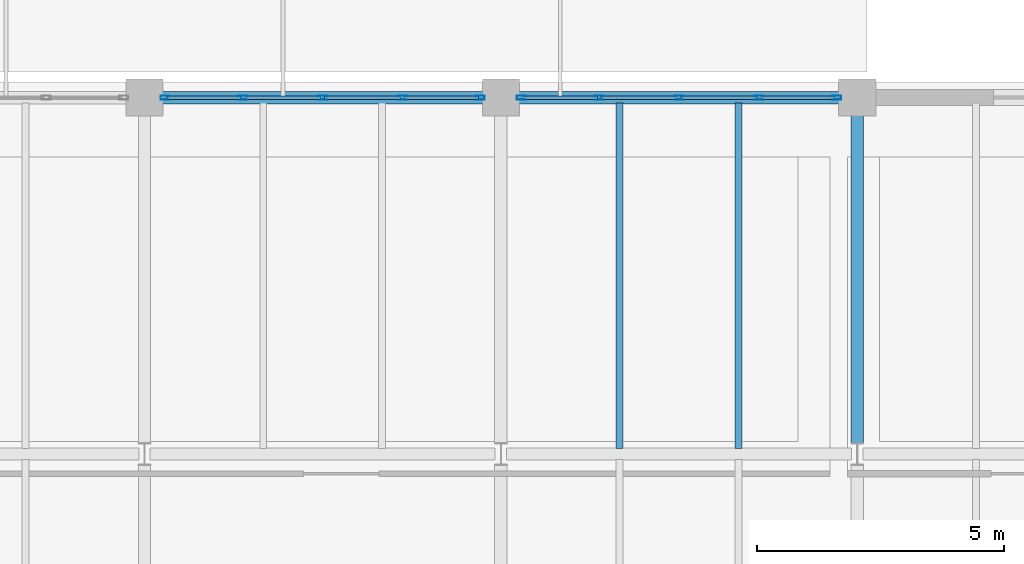
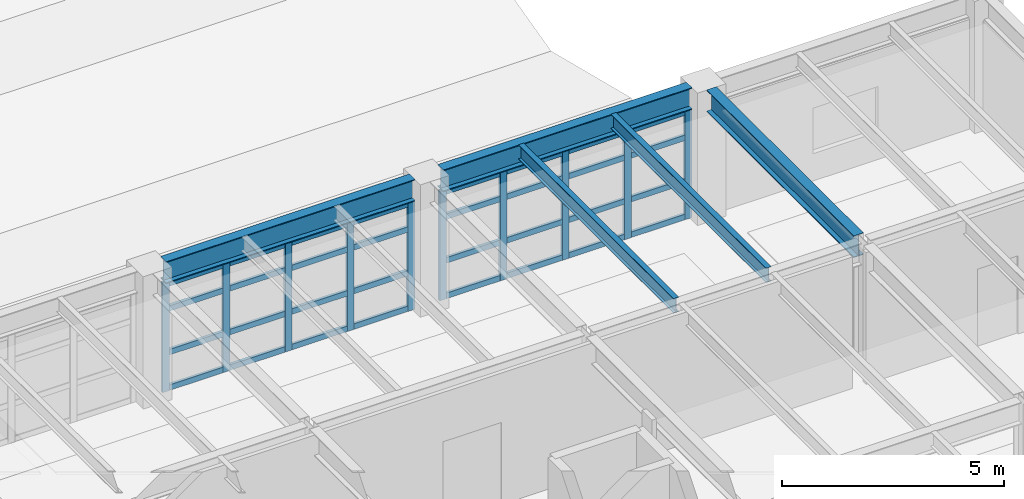
# One storey, part 12 of 48: 42 members, 5 beams, 2 elements without a shape of their own.
"""IFC4 building model written with IfcOpenShell, lengths in metres."""

from ifc_helpers import new_model, si_unit, direction, frame, origin, origin_2d, place, context, subcontext, project, spatial, hollow_rectangle, i_section, extrude, material, layer, layer_set, material_profile, profile_set, type_object, element, aggregate, save


model = new_model("IFC4")

# Units and contexts
model_context = context("Model", 3, precision=1e-05, world=origin(), true_north=direction((0.0, 1.0)))
body_context = subcontext(model_context, "Body", "Model", "MODEL_VIEW")
ifc_project = project(units=[si_unit("LENGTHUNIT", "METRE"), si_unit("AREAUNIT", "SQUARE_METRE"), si_unit("VOLUMEUNIT", "CUBIC_METRE"), si_unit("PLANEANGLEUNIT", "RADIAN"), si_unit("MASSUNIT", "GRAM", prefix="KILO")], contexts=[model_context])

# Site, building, storey
site_placement = place(None, origin())
site = spatial("IfcSite", under=ifc_project, at=site_placement, CompositionType="ELEMENT")
building_placement = place(site_placement, origin())
building = spatial("IfcBuilding", under=site, at=building_placement, Name="Kandorven Conservatory and Botanical Research Centre", CompositionType="ELEMENT")
storey_placement = place(building_placement, frame((0.0, 0.0, 13.199951171875)))
storey = spatial("IfcBuildingStorey", under=building, at=storey_placement, Name="L03", CompositionType="ELEMENT", Elevation=13.199951171875)

# Beams
ifc_material_1 = material(Name="Steel S355 (IS 2062 E350)", Category="steel")
ifc_material_profile_1 = material_profile(ifc_material_1, i_section(OverallWidth=0.25, OverallDepth=0.60009765625, WebThickness=0.01171875, FlangeThickness=0.023681640625, at=origin_2d()))
ifc_profile_set_1 = profile_set([ifc_material_profile_1], Name="Steel S355 (IS 2062 E350)")
beam_type_1 = type_object("IfcBeamType", Name="Beam_FG-01", PredefinedType="USERDEFINED", material=ifc_profile_set_1)
beam_1_placement = place(storey_placement, frame((20.764892578125, 34.800048828125, 3.3349609375), z_axis=(1.0, 0.0, 0.0), x_axis=(0.0, 1.0, 0.0)))
element("IfcBeam", 1, at=beam_1_placement, inside=storey, type_object=beam_type_1, Name="Primary girder FG-01 TWR L03", ObjectType="GIRDER", PredefinedType="USERDEFINED", context=body_context, shape_type="SweptSolid", body=[
    extrude(i_section(OverallWidth=0.25, OverallDepth=0.60009765625, WebThickness=0.01171875, FlangeThickness=0.023681640625, at=origin_2d()), origin(), (0.0, 0.0, 1.0), 6.47021484375),
])
beam_2_placement = place(storey_placement, frame((27.965087890625, 34.800048828125, 3.3349609375), z_axis=(1.0, 0.0, 0.0), x_axis=(0.0, 1.0, 0.0)))
element("IfcBeam", 2, at=beam_2_placement, inside=storey, type_object=beam_type_1, Name="Primary girder FG-01 TWR L03", ObjectType="GIRDER", PredefinedType="USERDEFINED", context=body_context, shape_type="SweptSolid", body=[
    extrude(i_section(OverallWidth=0.25, OverallDepth=0.60009765625, WebThickness=0.01171875, FlangeThickness=0.023681640625, at=origin_2d()), origin(), (0.0, 0.0, 1.0), 6.469970703125),
])
beam_3_placement = place(storey_placement, frame((34.800048828125, 27.81494140625, 3.3349609375), z_axis=(0.0, 1.0, 0.0), x_axis=(-1.0, 0.0, 0.0)))
element("IfcBeam", 3, at=beam_3_placement, inside=storey, type_object=beam_type_1, Name="Primary girder FG-01 TWR L03", ObjectType="GIRDER", PredefinedType="USERDEFINED", context=body_context, shape_type="SweptSolid", body=[
    extrude(i_section(OverallWidth=0.25, OverallDepth=0.60009765625, WebThickness=0.01171875, FlangeThickness=0.023681640625, at=origin_2d()), origin(), (0.0, 0.0, 1.0), 6.6201171875),
])
ifc_material_2 = material(Name="Steel S355 (IS 2062 E350)", Category="steel")
ifc_material_profile_2 = material_profile(ifc_material_2, i_section(OverallWidth=0.139892578125, OverallDepth=0.39990234375, WebThickness=0.0087890625, FlangeThickness=0.01611328125, at=origin_2d()))
ifc_profile_set_2 = profile_set([ifc_material_profile_2], Name="Steel S355 (IS 2062 E350)")
beam_type_2 = type_object("IfcBeamType", Name="Beam_SB-05", PredefinedType="BEAM", material=ifc_profile_set_2)
for number, where, z_axis, x_axis, name in (
    (4, (30.0, 27.7099609375, 3.43505859375), (0.0, 1.0, 0.0), (-1.0, 0.0, 0.0), "Composite secondary beam SB-05 TWR L03"),
    (5, (32.39990234375, 27.7099609375, 3.43505859375), (0.0, 1.0, 0.0), (-1.0, 0.0, 0.0), "Composite secondary beam SB-05 TWR L03"),
):
    element("IfcBeam", number, at=place(storey_placement, frame(where, z_axis=z_axis, x_axis=x_axis)), inside=storey, type_object=beam_type_2, Name=name, PredefinedType="BEAM", context=body_context, shape_type="SweptSolid", body=[
        extrude(i_section(OverallWidth=0.139892578125, OverallDepth=0.39990234375, WebThickness=0.0087890625, FlangeThickness=0.01611328125, at=origin_2d()), origin(), (0.0, 0.0, 1.0), 6.97998046875),
    ])

# Curtain wall, members
ifc_material_3 = material(Name="Bronze anodised thermally broken aluminium", Category="aluminium")
ifc_layer = layer(ifc_material_3, 0.179931640625)
ifc_layer_set = layer_set([ifc_layer], Name="Bronze anodised thermally broken aluminium")
curtain_wall_type = type_object("IfcCurtainWallType", Name="CW_Unitised", PredefinedType="USERDEFINED", material=ifc_layer_set)
curtain_wall_1_placement = place(storey_placement, origin())
curtain_wall_1 = element("IfcCurtainWall", 6, at=curtain_wall_1_placement, inside=storey, type_object=curtain_wall_type, Name="Tower laboratory curtain wall CW-TWR-N-L03-3", ObjectType="UNITISED GLAZING", PredefinedType="USERDEFINED")
ifc_material_4 = material(Name="Bronze anodised thermally broken aluminium", Category="aluminium")
ifc_material_profile_3 = material_profile(ifc_material_4, hollow_rectangle(XDim=0.080078125, YDim=0.179931640625, WallThickness=0.006103515625, at=origin_2d()))
ifc_profile_set_3 = profile_set([ifc_material_profile_3], Name="Bronze anodised thermally broken aluminium")
member_type_1 = type_object("IfcMemberType", Name="CW_Mullion", PredefinedType="MULLION", material=ifc_profile_set_3)
member_1_placement = place(storey_placement, frame((20.81494140625, 34.800048828125, 0.0), z_axis=(0.0, 0.0, 1.0), x_axis=(0.0, 1.0, 0.0)))
member_1 = element("IfcMember", 7, at=member_1_placement, type_object=member_type_1, Name="CW-01 mullion 1", PredefinedType="MULLION", context=body_context, shape_type="SweptSolid", body=[
    extrude(hollow_rectangle(XDim=0.080078125, YDim=0.179931640625, WallThickness=0.006103515625, at=origin_2d()), origin(), (0.0, 0.0, 1.0), 3.01513671875),
])
member_2_placement = place(storey_placement, frame((22.387451171875, 34.800048828125, 0.0), z_axis=(0.0, 0.0, 1.0), x_axis=(0.0, 1.0, 0.0)))
member_2 = element("IfcMember", 8, at=member_2_placement, type_object=member_type_1, Name="CW-01 mullion 2", PredefinedType="MULLION", context=body_context, shape_type="SweptSolid", body=[
    extrude(hollow_rectangle(XDim=0.080078125, YDim=0.179931640625, WallThickness=0.006103515625, at=origin_2d()), origin(), (0.0, 0.0, 1.0), 3.01513671875),
])
member_3_placement = place(storey_placement, frame((24.0, 34.800048828125, 0.0), z_axis=(0.0, 0.0, 1.0), x_axis=(0.0, 1.0, 0.0)))
member_3 = element("IfcMember", 9, at=member_3_placement, type_object=member_type_1, Name="CW-01 mullion 3", PredefinedType="MULLION", context=body_context, shape_type="SweptSolid", body=[
    extrude(hollow_rectangle(XDim=0.080078125, YDim=0.179931640625, WallThickness=0.006103515625, at=origin_2d()), origin(), (0.0, 0.0, 1.0), 3.01513671875),
])
member_4_placement = place(storey_placement, frame((25.612548828125, 34.800048828125, 0.0), z_axis=(0.0, 0.0, 1.0), x_axis=(0.0, 1.0, 0.0)))
member_4 = element("IfcMember", 10, at=member_4_placement, type_object=member_type_1, Name="CW-01 mullion 4", PredefinedType="MULLION", context=body_context, shape_type="SweptSolid", body=[
    extrude(hollow_rectangle(XDim=0.080078125, YDim=0.179931640625, WallThickness=0.006103515625, at=origin_2d()), origin(), (0.0, 0.0, 1.0), 3.01513671875),
])
member_5_placement = place(storey_placement, frame((27.18505859375, 34.800048828125, 0.0), z_axis=(0.0, 0.0, 1.0), x_axis=(0.0, 1.0, 0.0)))
member_5 = element("IfcMember", 11, at=member_5_placement, type_object=member_type_1, Name="CW-01 mullion 5", PredefinedType="MULLION", context=body_context, shape_type="SweptSolid", body=[
    extrude(hollow_rectangle(XDim=0.080078125, YDim=0.179931640625, WallThickness=0.006103515625, at=origin_2d()), origin(), (0.0, 0.0, 1.0), 3.01513671875),
])

curtain_wall_2_placement = place(storey_placement, origin())
curtain_wall_2 = element("IfcCurtainWall", 12, at=curtain_wall_2_placement, inside=storey, type_object=curtain_wall_type, Name="Tower laboratory curtain wall CW-TWR-N-L03-4", ObjectType="UNITISED GLAZING", PredefinedType="USERDEFINED")
member_6_placement = place(storey_placement, frame((28.014892578125, 34.800048828125, 0.0), z_axis=(0.0, 0.0, 1.0), x_axis=(0.0, 1.0, 0.0)))
member_6 = element("IfcMember", 13, at=member_6_placement, type_object=member_type_1, Name="CW-01 mullion 1", PredefinedType="MULLION", context=body_context, shape_type="SweptSolid", body=[
    extrude(hollow_rectangle(XDim=0.080078125, YDim=0.179931640625, WallThickness=0.006103515625, at=origin_2d()), origin(), (0.0, 0.0, 1.0), 3.01513671875),
])
member_7_placement = place(storey_placement, frame((29.58740234375, 34.800048828125, 0.0), z_axis=(0.0, 0.0, 1.0), x_axis=(0.0, 1.0, 0.0)))
member_7 = element("IfcMember", 14, at=member_7_placement, type_object=member_type_1, Name="CW-01 mullion 2", PredefinedType="MULLION", context=body_context, shape_type="SweptSolid", body=[
    extrude(hollow_rectangle(XDim=0.080078125, YDim=0.179931640625, WallThickness=0.006103515625, at=origin_2d()), origin(), (0.0, 0.0, 1.0), 3.01513671875),
])
member_8_placement = place(storey_placement, frame((31.199951171875, 34.800048828125, 0.0), z_axis=(0.0, 0.0, 1.0), x_axis=(0.0, 1.0, 0.0)))
member_8 = element("IfcMember", 15, at=member_8_placement, type_object=member_type_1, Name="CW-01 mullion 3", PredefinedType="MULLION", context=body_context, shape_type="SweptSolid", body=[
    extrude(hollow_rectangle(XDim=0.080078125, YDim=0.179931640625, WallThickness=0.006103515625, at=origin_2d()), origin(), (0.0, 0.0, 1.0), 3.01513671875),
])
member_9_placement = place(storey_placement, frame((32.8125, 34.800048828125, 0.0), z_axis=(0.0, 0.0, 1.0), x_axis=(0.0, 1.0, 0.0)))
member_9 = element("IfcMember", 16, at=member_9_placement, type_object=member_type_1, Name="CW-01 mullion 4", PredefinedType="MULLION", context=body_context, shape_type="SweptSolid", body=[
    extrude(hollow_rectangle(XDim=0.080078125, YDim=0.179931640625, WallThickness=0.006103515625, at=origin_2d()), origin(), (0.0, 0.0, 1.0), 3.01513671875),
])
member_10_placement = place(storey_placement, frame((34.385009765625, 34.800048828125, 0.0), z_axis=(0.0, 0.0, 1.0), x_axis=(0.0, 1.0, 0.0)))
member_10 = element("IfcMember", 17, at=member_10_placement, type_object=member_type_1, Name="CW-01 mullion 5", PredefinedType="MULLION", context=body_context, shape_type="SweptSolid", body=[
    extrude(hollow_rectangle(XDim=0.080078125, YDim=0.179931640625, WallThickness=0.006103515625, at=origin_2d()), origin(), (0.0, 0.0, 1.0), 3.01513671875),
])

# Member
ifc_material_5 = material(Name="Bronze anodised thermally broken aluminium", Category="aluminium")
ifc_material_profile_4 = material_profile(ifc_material_5, hollow_rectangle(XDim=0.074951171875, YDim=0.14990234375, WallThickness=0.006103515625, at=origin_2d()))
ifc_profile_set_4 = profile_set([ifc_material_profile_4], Name="Bronze anodised thermally broken aluminium")
member_type_2 = type_object("IfcMemberType", Name="CW_Transom", PredefinedType="USERDEFINED", material=ifc_profile_set_4)
member_11_placement = place(storey_placement, frame((20.85498046875, 34.800048828125, 0.074951171875), z_axis=(1.0, 0.0, 0.0), x_axis=(0.0, 1.0, 0.0)))
member_11 = element("IfcMember", 18, at=member_11_placement, type_object=member_type_2, Name="CW-01 transom 1.1", ObjectType="TRANSOM", PredefinedType="USERDEFINED", context=body_context, shape_type="SweptSolid", body=[
    extrude(hollow_rectangle(XDim=0.074951171875, YDim=0.14990234375, WallThickness=0.006103515625, at=origin_2d()), origin(), (0.0, 0.0, 1.0), 1.492431640625),
])

member_12_placement = place(storey_placement, frame((20.85498046875, 34.800048828125, 1.050048828125), z_axis=(1.0, 0.0, 0.0), x_axis=(0.0, 1.0, 0.0)))
member_12 = element("IfcMember", 19, at=member_12_placement, type_object=member_type_2, Name="CW-01 transom 1.2", ObjectType="TRANSOM", PredefinedType="USERDEFINED", context=body_context, shape_type="SweptSolid", body=[
    extrude(hollow_rectangle(XDim=0.074951171875, YDim=0.14990234375, WallThickness=0.006103515625, at=origin_2d()), origin(), (0.0, 0.0, 1.0), 1.492431640625),
])

member_13_placement = place(storey_placement, frame((20.85498046875, 34.800048828125, 2.25), z_axis=(1.0, 0.0, 0.0), x_axis=(0.0, 1.0, 0.0)))
member_13 = element("IfcMember", 20, at=member_13_placement, type_object=member_type_2, Name="CW-01 transom 1.3", ObjectType="TRANSOM", PredefinedType="USERDEFINED", context=body_context, shape_type="SweptSolid", body=[
    extrude(hollow_rectangle(XDim=0.074951171875, YDim=0.14990234375, WallThickness=0.006103515625, at=origin_2d()), origin(), (0.0, 0.0, 1.0), 1.492431640625),
])

member_14_placement = place(storey_placement, frame((20.85498046875, 34.800048828125, 2.93994140625), z_axis=(1.0, 0.0, 0.0), x_axis=(0.0, 1.0, 0.0)))
member_14 = element("IfcMember", 21, at=member_14_placement, type_object=member_type_2, Name="CW-01 transom 1.4", ObjectType="TRANSOM", PredefinedType="USERDEFINED", context=body_context, shape_type="SweptSolid", body=[
    extrude(hollow_rectangle(XDim=0.074951171875, YDim=0.14990234375, WallThickness=0.006103515625, at=origin_2d()), origin(), (0.0, 0.0, 1.0), 1.492431640625),
])

member_15_placement = place(storey_placement, frame((22.427490234375, 34.800048828125, 0.074951171875), z_axis=(1.0, 0.0, 0.0), x_axis=(0.0, 1.0, 0.0)))
member_15 = element("IfcMember", 22, at=member_15_placement, type_object=member_type_2, Name="CW-01 transom 2.1", ObjectType="TRANSOM", PredefinedType="USERDEFINED", context=body_context, shape_type="SweptSolid", body=[
    extrude(hollow_rectangle(XDim=0.074951171875, YDim=0.14990234375, WallThickness=0.006103515625, at=origin_2d()), origin(), (0.0, 0.0, 1.0), 1.532470703125),
])

member_16_placement = place(storey_placement, frame((22.427490234375, 34.800048828125, 1.050048828125), z_axis=(1.0, 0.0, 0.0), x_axis=(0.0, 1.0, 0.0)))
member_16 = element("IfcMember", 23, at=member_16_placement, type_object=member_type_2, Name="CW-01 transom 2.2", ObjectType="TRANSOM", PredefinedType="USERDEFINED", context=body_context, shape_type="SweptSolid", body=[
    extrude(hollow_rectangle(XDim=0.074951171875, YDim=0.14990234375, WallThickness=0.006103515625, at=origin_2d()), origin(), (0.0, 0.0, 1.0), 1.532470703125),
])

member_17_placement = place(storey_placement, frame((22.427490234375, 34.800048828125, 2.25), z_axis=(1.0, 0.0, 0.0), x_axis=(0.0, 1.0, 0.0)))
member_17 = element("IfcMember", 24, at=member_17_placement, type_object=member_type_2, Name="CW-01 transom 2.3", ObjectType="TRANSOM", PredefinedType="USERDEFINED", context=body_context, shape_type="SweptSolid", body=[
    extrude(hollow_rectangle(XDim=0.074951171875, YDim=0.14990234375, WallThickness=0.006103515625, at=origin_2d()), origin(), (0.0, 0.0, 1.0), 1.532470703125),
])

member_18_placement = place(storey_placement, frame((22.427490234375, 34.800048828125, 2.93994140625), z_axis=(1.0, 0.0, 0.0), x_axis=(0.0, 1.0, 0.0)))
member_18 = element("IfcMember", 25, at=member_18_placement, type_object=member_type_2, Name="CW-01 transom 2.4", ObjectType="TRANSOM", PredefinedType="USERDEFINED", context=body_context, shape_type="SweptSolid", body=[
    extrude(hollow_rectangle(XDim=0.074951171875, YDim=0.14990234375, WallThickness=0.006103515625, at=origin_2d()), origin(), (0.0, 0.0, 1.0), 1.532470703125),
])

member_19_placement = place(storey_placement, frame((24.0400390625, 34.800048828125, 0.074951171875), z_axis=(1.0, 0.0, 0.0), x_axis=(0.0, 1.0, 0.0)))
member_19 = element("IfcMember", 26, at=member_19_placement, type_object=member_type_2, Name="CW-01 transom 3.1", ObjectType="TRANSOM", PredefinedType="USERDEFINED", context=body_context, shape_type="SweptSolid", body=[
    extrude(hollow_rectangle(XDim=0.074951171875, YDim=0.14990234375, WallThickness=0.006103515625, at=origin_2d()), origin(), (0.0, 0.0, 1.0), 1.532470703125),
])

member_20_placement = place(storey_placement, frame((24.0400390625, 34.800048828125, 1.050048828125), z_axis=(1.0, 0.0, 0.0), x_axis=(0.0, 1.0, 0.0)))
member_20 = element("IfcMember", 27, at=member_20_placement, type_object=member_type_2, Name="CW-01 transom 3.2", ObjectType="TRANSOM", PredefinedType="USERDEFINED", context=body_context, shape_type="SweptSolid", body=[
    extrude(hollow_rectangle(XDim=0.074951171875, YDim=0.14990234375, WallThickness=0.006103515625, at=origin_2d()), origin(), (0.0, 0.0, 1.0), 1.532470703125),
])

member_21_placement = place(storey_placement, frame((24.0400390625, 34.800048828125, 2.25), z_axis=(1.0, 0.0, 0.0), x_axis=(0.0, 1.0, 0.0)))
member_21 = element("IfcMember", 28, at=member_21_placement, type_object=member_type_2, Name="CW-01 transom 3.3", ObjectType="TRANSOM", PredefinedType="USERDEFINED", context=body_context, shape_type="SweptSolid", body=[
    extrude(hollow_rectangle(XDim=0.074951171875, YDim=0.14990234375, WallThickness=0.006103515625, at=origin_2d()), origin(), (0.0, 0.0, 1.0), 1.532470703125),
])

member_22_placement = place(storey_placement, frame((24.0400390625, 34.800048828125, 2.93994140625), z_axis=(1.0, 0.0, 0.0), x_axis=(0.0, 1.0, 0.0)))
member_22 = element("IfcMember", 29, at=member_22_placement, type_object=member_type_2, Name="CW-01 transom 3.4", ObjectType="TRANSOM", PredefinedType="USERDEFINED", context=body_context, shape_type="SweptSolid", body=[
    extrude(hollow_rectangle(XDim=0.074951171875, YDim=0.14990234375, WallThickness=0.006103515625, at=origin_2d()), origin(), (0.0, 0.0, 1.0), 1.532470703125),
])

member_23_placement = place(storey_placement, frame((25.652587890625, 34.800048828125, 0.074951171875), z_axis=(1.0, 0.0, 0.0), x_axis=(0.0, 1.0, 0.0)))
member_23 = element("IfcMember", 30, at=member_23_placement, type_object=member_type_2, Name="CW-01 transom 4.1", ObjectType="TRANSOM", PredefinedType="USERDEFINED", context=body_context, shape_type="SweptSolid", body=[
    extrude(hollow_rectangle(XDim=0.074951171875, YDim=0.14990234375, WallThickness=0.006103515625, at=origin_2d()), origin(), (0.0, 0.0, 1.0), 1.492431640625),
])

member_24_placement = place(storey_placement, frame((25.652587890625, 34.800048828125, 1.050048828125), z_axis=(1.0, 0.0, 0.0), x_axis=(0.0, 1.0, 0.0)))
member_24 = element("IfcMember", 31, at=member_24_placement, type_object=member_type_2, Name="CW-01 transom 4.2", ObjectType="TRANSOM", PredefinedType="USERDEFINED", context=body_context, shape_type="SweptSolid", body=[
    extrude(hollow_rectangle(XDim=0.074951171875, YDim=0.14990234375, WallThickness=0.006103515625, at=origin_2d()), origin(), (0.0, 0.0, 1.0), 1.492431640625),
])

member_25_placement = place(storey_placement, frame((25.652587890625, 34.800048828125, 2.25), z_axis=(1.0, 0.0, 0.0), x_axis=(0.0, 1.0, 0.0)))
member_25 = element("IfcMember", 32, at=member_25_placement, type_object=member_type_2, Name="CW-01 transom 4.3", ObjectType="TRANSOM", PredefinedType="USERDEFINED", context=body_context, shape_type="SweptSolid", body=[
    extrude(hollow_rectangle(XDim=0.074951171875, YDim=0.14990234375, WallThickness=0.006103515625, at=origin_2d()), origin(), (0.0, 0.0, 1.0), 1.492431640625),
])

member_26_placement = place(storey_placement, frame((25.652587890625, 34.800048828125, 2.93994140625), z_axis=(1.0, 0.0, 0.0), x_axis=(0.0, 1.0, 0.0)))
member_26 = element("IfcMember", 33, at=member_26_placement, type_object=member_type_2, Name="CW-01 transom 4.4", ObjectType="TRANSOM", PredefinedType="USERDEFINED", context=body_context, shape_type="SweptSolid", body=[
    extrude(hollow_rectangle(XDim=0.074951171875, YDim=0.14990234375, WallThickness=0.006103515625, at=origin_2d()), origin(), (0.0, 0.0, 1.0), 1.492431640625),
])

aggregate(curtain_wall_1, [member_1, member_2, member_3, member_4, member_5, member_11, member_12, member_13, member_14, member_15, member_16, member_17, member_18, member_19, member_20, member_21, member_22, member_23, member_24, member_25, member_26])

member_27_placement = place(storey_placement, frame((28.054931640625, 34.800048828125, 0.074951171875), z_axis=(1.0, 0.0, 0.0), x_axis=(0.0, 1.0, 0.0)))
member_27 = element("IfcMember", 34, at=member_27_placement, type_object=member_type_2, Name="CW-01 transom 1.1", ObjectType="TRANSOM", PredefinedType="USERDEFINED", context=body_context, shape_type="SweptSolid", body=[
    extrude(hollow_rectangle(XDim=0.074951171875, YDim=0.14990234375, WallThickness=0.006103515625, at=origin_2d()), origin(), (0.0, 0.0, 1.0), 1.49267578125),
])

member_28_placement = place(storey_placement, frame((28.054931640625, 34.800048828125, 1.050048828125), z_axis=(1.0, 0.0, 0.0), x_axis=(0.0, 1.0, 0.0)))
member_28 = element("IfcMember", 35, at=member_28_placement, type_object=member_type_2, Name="CW-01 transom 1.2", ObjectType="TRANSOM", PredefinedType="USERDEFINED", context=body_context, shape_type="SweptSolid", body=[
    extrude(hollow_rectangle(XDim=0.074951171875, YDim=0.14990234375, WallThickness=0.006103515625, at=origin_2d()), origin(), (0.0, 0.0, 1.0), 1.49267578125),
])

member_29_placement = place(storey_placement, frame((28.054931640625, 34.800048828125, 2.25), z_axis=(1.0, 0.0, 0.0), x_axis=(0.0, 1.0, 0.0)))
member_29 = element("IfcMember", 36, at=member_29_placement, type_object=member_type_2, Name="CW-01 transom 1.3", ObjectType="TRANSOM", PredefinedType="USERDEFINED", context=body_context, shape_type="SweptSolid", body=[
    extrude(hollow_rectangle(XDim=0.074951171875, YDim=0.14990234375, WallThickness=0.006103515625, at=origin_2d()), origin(), (0.0, 0.0, 1.0), 1.49267578125),
])

member_30_placement = place(storey_placement, frame((28.054931640625, 34.800048828125, 2.93994140625), z_axis=(1.0, 0.0, 0.0), x_axis=(0.0, 1.0, 0.0)))
member_30 = element("IfcMember", 37, at=member_30_placement, type_object=member_type_2, Name="CW-01 transom 1.4", ObjectType="TRANSOM", PredefinedType="USERDEFINED", context=body_context, shape_type="SweptSolid", body=[
    extrude(hollow_rectangle(XDim=0.074951171875, YDim=0.14990234375, WallThickness=0.006103515625, at=origin_2d()), origin(), (0.0, 0.0, 1.0), 1.49267578125),
])

member_31_placement = place(storey_placement, frame((29.62744140625, 34.800048828125, 0.074951171875), z_axis=(1.0, 0.0, 0.0), x_axis=(0.0, 1.0, 0.0)))
member_31 = element("IfcMember", 38, at=member_31_placement, type_object=member_type_2, Name="CW-01 transom 2.1", ObjectType="TRANSOM", PredefinedType="USERDEFINED", context=body_context, shape_type="SweptSolid", body=[
    extrude(hollow_rectangle(XDim=0.074951171875, YDim=0.14990234375, WallThickness=0.006103515625, at=origin_2d()), origin(), (0.0, 0.0, 1.0), 1.532470703125),
])

member_32_placement = place(storey_placement, frame((29.62744140625, 34.800048828125, 1.050048828125), z_axis=(1.0, 0.0, 0.0), x_axis=(0.0, 1.0, 0.0)))
member_32 = element("IfcMember", 39, at=member_32_placement, type_object=member_type_2, Name="CW-01 transom 2.2", ObjectType="TRANSOM", PredefinedType="USERDEFINED", context=body_context, shape_type="SweptSolid", body=[
    extrude(hollow_rectangle(XDim=0.074951171875, YDim=0.14990234375, WallThickness=0.006103515625, at=origin_2d()), origin(), (0.0, 0.0, 1.0), 1.532470703125),
])

member_33_placement = place(storey_placement, frame((29.62744140625, 34.800048828125, 2.25), z_axis=(1.0, 0.0, 0.0), x_axis=(0.0, 1.0, 0.0)))
member_33 = element("IfcMember", 40, at=member_33_placement, type_object=member_type_2, Name="CW-01 transom 2.3", ObjectType="TRANSOM", PredefinedType="USERDEFINED", context=body_context, shape_type="SweptSolid", body=[
    extrude(hollow_rectangle(XDim=0.074951171875, YDim=0.14990234375, WallThickness=0.006103515625, at=origin_2d()), origin(), (0.0, 0.0, 1.0), 1.532470703125),
])

member_34_placement = place(storey_placement, frame((29.62744140625, 34.800048828125, 2.93994140625), z_axis=(1.0, 0.0, 0.0), x_axis=(0.0, 1.0, 0.0)))
member_34 = element("IfcMember", 41, at=member_34_placement, type_object=member_type_2, Name="CW-01 transom 2.4", ObjectType="TRANSOM", PredefinedType="USERDEFINED", context=body_context, shape_type="SweptSolid", body=[
    extrude(hollow_rectangle(XDim=0.074951171875, YDim=0.14990234375, WallThickness=0.006103515625, at=origin_2d()), origin(), (0.0, 0.0, 1.0), 1.532470703125),
])

member_35_placement = place(storey_placement, frame((31.239990234375, 34.800048828125, 0.074951171875), z_axis=(1.0, 0.0, 0.0), x_axis=(0.0, 1.0, 0.0)))
member_35 = element("IfcMember", 42, at=member_35_placement, type_object=member_type_2, Name="CW-01 transom 3.1", ObjectType="TRANSOM", PredefinedType="USERDEFINED", context=body_context, shape_type="SweptSolid", body=[
    extrude(hollow_rectangle(XDim=0.074951171875, YDim=0.14990234375, WallThickness=0.006103515625, at=origin_2d()), origin(), (0.0, 0.0, 1.0), 1.532470703125),
])

member_36_placement = place(storey_placement, frame((31.239990234375, 34.800048828125, 1.050048828125), z_axis=(1.0, 0.0, 0.0), x_axis=(0.0, 1.0, 0.0)))
member_36 = element("IfcMember", 43, at=member_36_placement, type_object=member_type_2, Name="CW-01 transom 3.2", ObjectType="TRANSOM", PredefinedType="USERDEFINED", context=body_context, shape_type="SweptSolid", body=[
    extrude(hollow_rectangle(XDim=0.074951171875, YDim=0.14990234375, WallThickness=0.006103515625, at=origin_2d()), origin(), (0.0, 0.0, 1.0), 1.532470703125),
])

member_37_placement = place(storey_placement, frame((31.239990234375, 34.800048828125, 2.25), z_axis=(1.0, 0.0, 0.0), x_axis=(0.0, 1.0, 0.0)))
member_37 = element("IfcMember", 44, at=member_37_placement, type_object=member_type_2, Name="CW-01 transom 3.3", ObjectType="TRANSOM", PredefinedType="USERDEFINED", context=body_context, shape_type="SweptSolid", body=[
    extrude(hollow_rectangle(XDim=0.074951171875, YDim=0.14990234375, WallThickness=0.006103515625, at=origin_2d()), origin(), (0.0, 0.0, 1.0), 1.532470703125),
])

member_38_placement = place(storey_placement, frame((31.239990234375, 34.800048828125, 2.93994140625), z_axis=(1.0, 0.0, 0.0), x_axis=(0.0, 1.0, 0.0)))
member_38 = element("IfcMember", 45, at=member_38_placement, type_object=member_type_2, Name="CW-01 transom 3.4", ObjectType="TRANSOM", PredefinedType="USERDEFINED", context=body_context, shape_type="SweptSolid", body=[
    extrude(hollow_rectangle(XDim=0.074951171875, YDim=0.14990234375, WallThickness=0.006103515625, at=origin_2d()), origin(), (0.0, 0.0, 1.0), 1.532470703125),
])

member_39_placement = place(storey_placement, frame((32.8525390625, 34.800048828125, 0.074951171875), z_axis=(1.0, 0.0, 0.0), x_axis=(0.0, 1.0, 0.0)))
member_39 = element("IfcMember", 46, at=member_39_placement, type_object=member_type_2, Name="CW-01 transom 4.1", ObjectType="TRANSOM", PredefinedType="USERDEFINED", context=body_context, shape_type="SweptSolid", body=[
    extrude(hollow_rectangle(XDim=0.074951171875, YDim=0.14990234375, WallThickness=0.006103515625, at=origin_2d()), origin(), (0.0, 0.0, 1.0), 1.492431640625),
])

member_40_placement = place(storey_placement, frame((32.8525390625, 34.800048828125, 1.050048828125), z_axis=(1.0, 0.0, 0.0), x_axis=(0.0, 1.0, 0.0)))
member_40 = element("IfcMember", 47, at=member_40_placement, type_object=member_type_2, Name="CW-01 transom 4.2", ObjectType="TRANSOM", PredefinedType="USERDEFINED", context=body_context, shape_type="SweptSolid", body=[
    extrude(hollow_rectangle(XDim=0.074951171875, YDim=0.14990234375, WallThickness=0.006103515625, at=origin_2d()), origin(), (0.0, 0.0, 1.0), 1.492431640625),
])

member_41_placement = place(storey_placement, frame((32.8525390625, 34.800048828125, 2.25), z_axis=(1.0, 0.0, 0.0), x_axis=(0.0, 1.0, 0.0)))
member_41 = element("IfcMember", 48, at=member_41_placement, type_object=member_type_2, Name="CW-01 transom 4.3", ObjectType="TRANSOM", PredefinedType="USERDEFINED", context=body_context, shape_type="SweptSolid", body=[
    extrude(hollow_rectangle(XDim=0.074951171875, YDim=0.14990234375, WallThickness=0.006103515625, at=origin_2d()), origin(), (0.0, 0.0, 1.0), 1.492431640625),
])

member_42_placement = place(storey_placement, frame((32.8525390625, 34.800048828125, 2.93994140625), z_axis=(1.0, 0.0, 0.0), x_axis=(0.0, 1.0, 0.0)))
member_42 = element("IfcMember", 49, at=member_42_placement, type_object=member_type_2, Name="CW-01 transom 4.4", ObjectType="TRANSOM", PredefinedType="USERDEFINED", context=body_context, shape_type="SweptSolid", body=[
    extrude(hollow_rectangle(XDim=0.074951171875, YDim=0.14990234375, WallThickness=0.006103515625, at=origin_2d()), origin(), (0.0, 0.0, 1.0), 1.492431640625),
])

aggregate(curtain_wall_2, [member_6, member_7, member_8, member_9, member_10, member_27, member_28, member_29, member_30, member_31, member_32, member_33, member_34, member_35, member_36, member_37, member_38, member_39, member_40, member_41, member_42])

save(model, "model.ifc")
